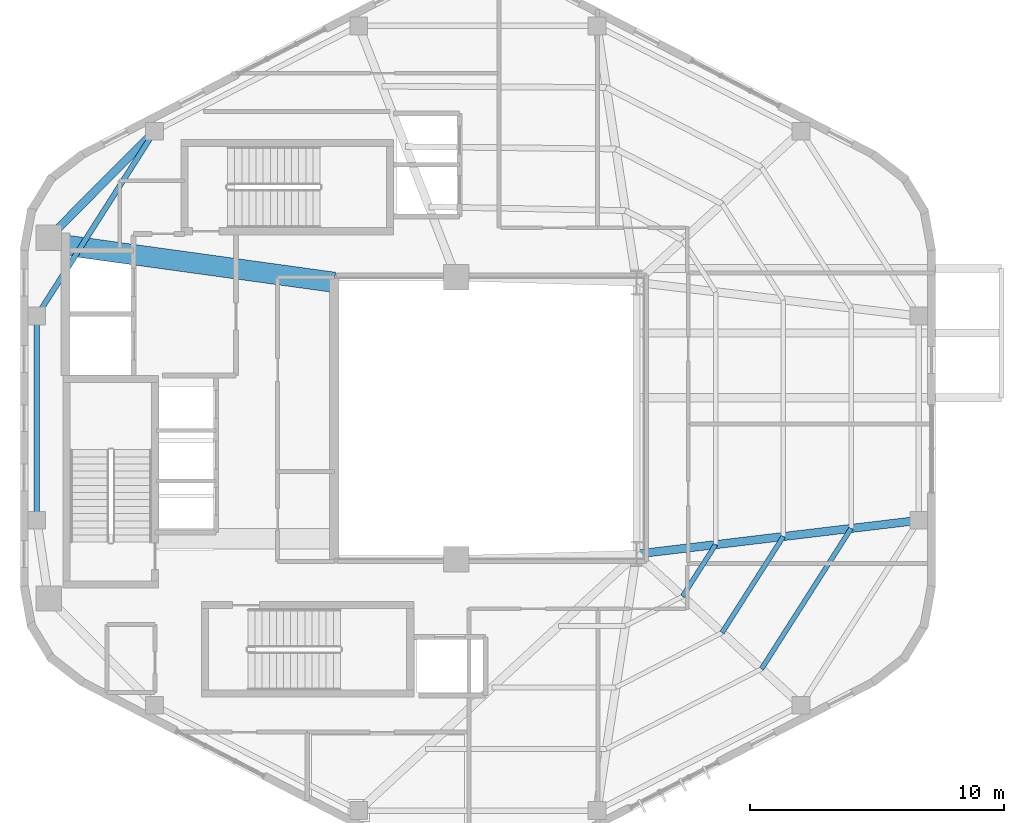
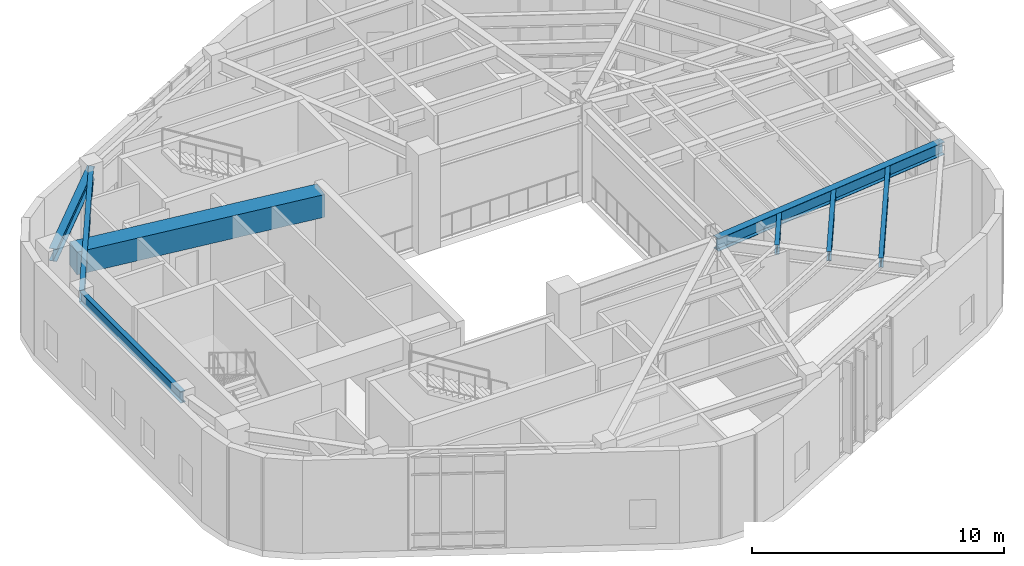
# One storey, part 5 of 18: 8 beams.
"""IFC4 building model written with IfcOpenShell, lengths in metres."""

from ifc_helpers import new_model, si_unit, direction, frame, origin, origin_2d, place, context, subcontext, project, spatial, rectangle, i_section, extrude, material, material_profile, profile_set, type_object, element, save


model = new_model("IFC4")

# Units and contexts
model_context = context("Model", 3, precision=1e-05, world=origin(), true_north=direction((0.0, 1.0)))
body_context = subcontext(model_context, "Body", "Model", "MODEL_VIEW")
ifc_project = project(units=[si_unit("LENGTHUNIT", "METRE"), si_unit("AREAUNIT", "SQUARE_METRE"), si_unit("VOLUMEUNIT", "CUBIC_METRE"), si_unit("PLANEANGLEUNIT", "RADIAN"), si_unit("MASSUNIT", "GRAM", prefix="KILO"), si_unit("THERMODYNAMICTEMPERATUREUNIT", "KELVIN"), si_unit("POWERUNIT", "WATT")], contexts=[model_context])

# Site, building, storey
site_placement = place(None, origin())
site = spatial("IfcSite", under=ifc_project, at=site_placement, CompositionType="ELEMENT")
building_placement = place(site_placement, origin())
building = spatial("IfcBuilding", under=site, at=building_placement, Name="Skarre Station Tower", CompositionType="ELEMENT")
storey_placement = place(building_placement, frame((0.0, 0.0, 270.300048828125)))
storey = spatial("IfcBuildingStorey", under=building, at=storey_placement, Name="L74", CompositionType="ELEMENT", Elevation=270.300048828125)

# Beams
ifc_material_1 = material(Name="Concrete C70/85", Category="concrete")
ifc_material_profile_1 = material_profile(ifc_material_1, rectangle(XDim=0.800048828125, YDim=1.10009765625, at=origin_2d()), Name="Concrete C70/85")
ifc_profile_set_1 = profile_set([ifc_material_profile_1], Name="Concrete C70/85")
beam_type_1 = type_object("IfcBeamType", Name="RC Core Coupling Lintel 800x1100", PredefinedType="LINTEL", material=ifc_profile_set_1)
beam_1_placement = place(storey_placement, frame((17.050048828125, 30.800048828125, 3.93994140625), z_axis=(0.990599723633, -0.136792498109, 0.0), x_axis=(0.136792498109, 0.990599723633, 0.0)))
element("IfcBeam", 1, at=beam_1_placement, inside=storey, type_object=beam_type_1, Name="L74 North Core Coupling Lintel", PredefinedType="LINTEL", context=body_context, shape_type="SweptSolid", body=[
    extrude(rectangle(XDim=0.800048828125, YDim=1.10009765625, at=origin_2d()), origin(), (0.0, 0.0, 1.0), 10.599609375),
])
ifc_material_2 = material(Name="Steel ASTM A992 Grade 50", Category="steel")
ifc_material_profile_2 = material_profile(ifc_material_2, i_section(OverallWidth=0.323974609375, OverallDepth=0.611083984375, WebThickness=0.012939453125, FlangeThickness=0.01904296875, at=origin_2d()), Name="Steel ASTM A992 Grade 50")
ifc_profile_set_2 = profile_set([ifc_material_profile_2], Name="Steel ASTM A992 Grade 50")
beam_type_2 = type_object("IfcBeamType", Name="Steel Beam W24X104", PredefinedType="BEAM", material=ifc_profile_set_2)
beam_2_placement = place(storey_placement, frame((16.300048828125, 31.10009765625, 4.18505859375), z_axis=(0.704979413242, 0.709227768002, 0.0), x_axis=(-0.709227768002, 0.704979413242, 0.0)))
element("IfcBeam", 2, at=beam_2_placement, inside=storey, type_object=beam_type_2, Name="L74 Radial Floor Girder F1C2", PredefinedType="BEAM", context=body_context, shape_type="SweptSolid", body=[
    extrude(i_section(OverallWidth=0.323974609375, OverallDepth=0.611083984375, WebThickness=0.012939453125, FlangeThickness=0.01904296875, at=origin_2d()), origin(), (0.0, 0.0, 1.0), 5.919189453125),
])
beam_3_placement = place(storey_placement, frame((39.449951171875, 18.64990234375, 4.18505859375), z_axis=(0.99292393128, 0.118752122891, 0.0), x_axis=(-0.118752122891, 0.99292393128, 0.0)))
element("IfcBeam", 3, at=beam_3_placement, inside=storey, type_object=beam_type_2, Name="L74 Radial Floor Girder F5C1", PredefinedType="BEAM", context=body_context, shape_type="SweptSolid", body=[
    extrude(i_section(OverallWidth=0.323974609375, OverallDepth=0.611083984375, WebThickness=0.012939453125, FlangeThickness=0.01904296875, at=origin_2d()), origin(), (0.0, 0.0, 1.0), 11.192138671875),
])
ifc_material_profile_3 = material_profile(ifc_material_2, i_section(OverallWidth=0.19091796875, OverallDepth=0.45703125, WebThickness=0.009033203125, FlangeThickness=0.013916015625, at=origin_2d()), Name="Steel ASTM A992 Grade 50")
ifc_profile_set_3 = profile_set([ifc_material_profile_3], Name="Steel ASTM A992 Grade 50")
beam_type_3 = type_object("IfcBeamType", Name="Steel Joist W18X50", PredefinedType="JOIST", material=ifc_profile_set_3)
beam_4_placement = place(storey_placement, frame((41.263916015625, 16.985107421875, 4.261962890625), z_axis=(0.537437848622, 0.843303361116, 0.0), x_axis=(-0.843303361116, 0.537437848622, 0.0)))
element("IfcBeam", 4, at=beam_4_placement, inside=storey, type_object=beam_type_3, Name="L74 Auxiliary Composite Joist 18", PredefinedType="JOIST", context=body_context, shape_type="SweptSolid", body=[
    extrude(i_section(OverallWidth=0.19091796875, OverallDepth=0.45703125, WebThickness=0.009033203125, FlangeThickness=0.013916015625, at=origin_2d()), origin(), (0.0, 0.0, 1.0), 2.415283203125),
])
beam_5_placement = place(storey_placement, frame((42.818115234375, 15.556884765625, 4.261962890625), z_axis=(0.53731551376, 0.843381312737, 0.0), x_axis=(-0.843381312737, 0.53731551376, 0.0)))
element("IfcBeam", 5, at=beam_5_placement, inside=storey, type_object=beam_type_3, Name="L74 Auxiliary Composite Joist 19", PredefinedType="JOIST", context=body_context, shape_type="SweptSolid", body=[
    extrude(i_section(OverallWidth=0.19091796875, OverallDepth=0.45703125, WebThickness=0.009033203125, FlangeThickness=0.013916015625, at=origin_2d()), origin(), (0.0, 0.0, 1.0), 4.48681640625),
])
beam_6_placement = place(storey_placement, frame((44.373046875, 14.1298828125, 4.261962890625), z_axis=(0.537292232804, 0.843396144507, 0.0), x_axis=(-0.843396144507, 0.537292232804, 0.0)))
element("IfcBeam", 6, at=beam_6_placement, inside=storey, type_object=beam_type_3, Name="L74 Auxiliary Composite Joist 20", PredefinedType="JOIST", context=body_context, shape_type="SweptSolid", body=[
    extrude(i_section(OverallWidth=0.19091796875, OverallDepth=0.45703125, WebThickness=0.009033203125, FlangeThickness=0.013916015625, at=origin_2d()), origin(), (0.0, 0.0, 1.0), 6.556884765625),
])
ifc_material_profile_4 = material_profile(ifc_material_2, i_section(OverallWidth=0.214111328125, OverallDepth=0.549072265625, WebThickness=0.014892578125, FlangeThickness=0.02392578125, at=origin_2d()), Name="Steel ASTM A992 Grade 50")
ifc_profile_set_4 = profile_set([ifc_material_profile_4], Name="Steel ASTM A992 Grade 50")
beam_type_4 = type_object("IfcBeamType", Name="Steel Spandrel W21X93", PredefinedType="SPANDREL", material=ifc_profile_set_4)
beam_7_placement = place(storey_placement, frame((20.472900390625, 35.298095703125, 4.216064453125), z_axis=(-0.537296523663, -0.843393410965, 0.0), x_axis=(0.843393410965, -0.537296523663, 0.0)))
element("IfcBeam", 7, at=beam_7_placement, inside=storey, type_object=beam_type_4, Name="L74 Facet Spandrel Beam 4", PredefinedType="SPANDREL", context=body_context, shape_type="SweptSolid", body=[
    extrude(i_section(OverallWidth=0.214111328125, OverallDepth=0.549072265625, WebThickness=0.014892578125, FlangeThickness=0.02392578125, at=origin_2d()), origin(), (0.0, 0.0, 1.0), 8.62841796875),
])
beam_8_placement = place(storey_placement, frame((15.8369140625, 28.02099609375, 4.216064453125), z_axis=(0.0, -1.0, 0.0), x_axis=(1.0, 0.0, 0.0)))
element("IfcBeam", 8, at=beam_8_placement, inside=storey, type_object=beam_type_4, Name="L74 Facet Spandrel Beam 5", PredefinedType="SPANDREL", context=body_context, shape_type="SweptSolid", body=[
    extrude(i_section(OverallWidth=0.214111328125, OverallDepth=0.549072265625, WebThickness=0.014892578125, FlangeThickness=0.02392578125, at=origin_2d()), origin(), (0.0, 0.0, 1.0), 8.0419921875),
])

save(model, "model.ifc")
